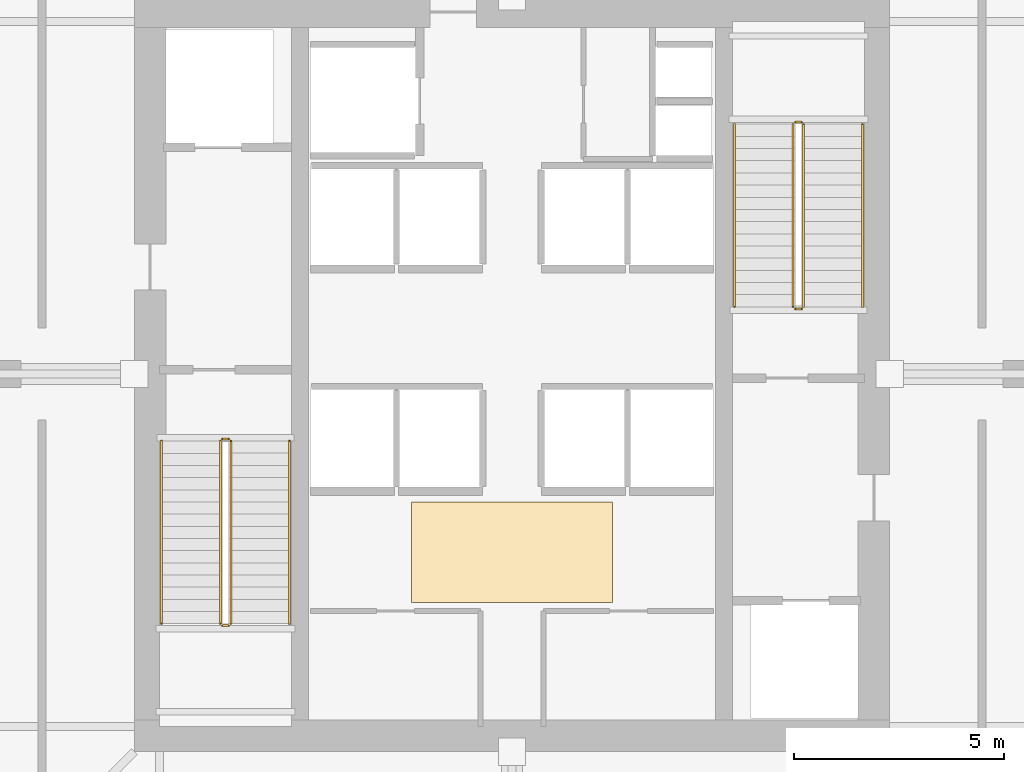
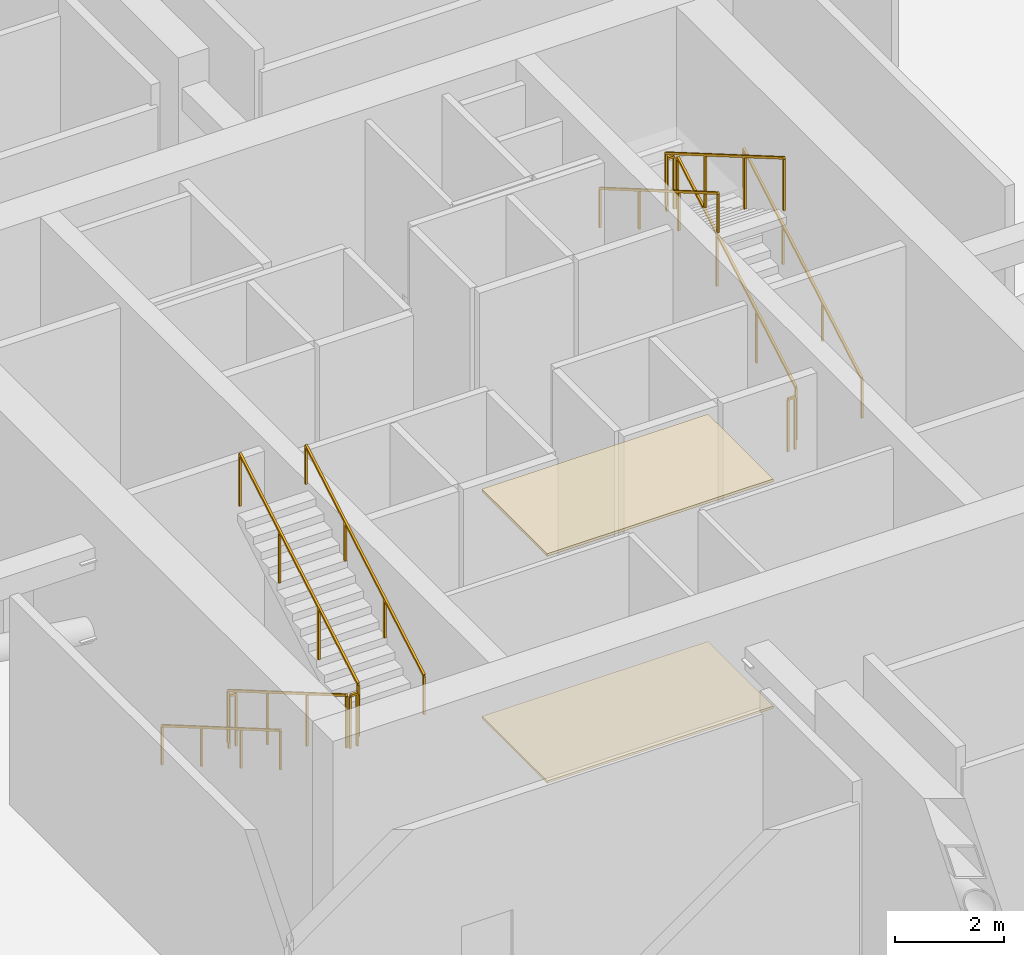
# One storey, part 6 of 6: 12 railings, 2 coverings.
"""IFC4 building model written with IfcOpenShell, lengths in metres."""

from ifc_helpers import new_model, si_unit, direction, frame, origin, origin_2d, place, context, subcontext, project, spatial, polyline, rectangle, outline, extrude, material, layer, layer_set, type_object, element, save


model = new_model("IFC4")

# Units and contexts
model_context = context("Model", 3, precision=1e-05, world=origin(), true_north=direction((0.0, 1.0)))
body_context = subcontext(model_context, "Body", "Model", "MODEL_VIEW")
ifc_project = project(units=[si_unit("LENGTHUNIT", "METRE"), si_unit("AREAUNIT", "SQUARE_METRE"), si_unit("VOLUMEUNIT", "CUBIC_METRE"), si_unit("PLANEANGLEUNIT", "RADIAN"), si_unit("MASSUNIT", "GRAM", prefix="KILO")], contexts=[model_context])

# Site, building, storey
site_placement = place(None, origin())
site = spatial("IfcSite", under=ifc_project, at=site_placement, CompositionType="ELEMENT")
building_placement = place(site_placement, origin())
building = spatial("IfcBuilding", under=site, at=building_placement, Name="Belovzor Exchange Tower", CompositionType="ELEMENT")
storey_placement = place(building_placement, frame((0.0, 0.0, 194.550048828125)))
storey = spatial("IfcBuildingStorey", under=building, at=storey_placement, Name="L48", CompositionType="ELEMENT", Elevation=194.550048828125)

# Railings
ifc_material_1 = material(Name="Stainless Steel Grade 304", Category="steel")
railing_type_1 = type_object("IfcRailingType", Name="Brushed Stainless Steel Stair Handrail 900", PredefinedType="HANDRAIL", material=ifc_material_1)
railing_1_placement = place(storey_placement, frame((20.449951171875, 27.199951171875, 0.168701171875)))
element("IfcRailing", 1, at=railing_1_placement, inside=storey, type_object=railing_type_1, Name="L48 ST-1 stair handrail 1", PredefinedType="HANDRAIL", context=body_context, shape_type="SweptSolid", body=[
    extrude(rectangle(XDim=0.048095703125, YDim=0.048095703125, at=origin_2d()), frame((0.0, 0.0, 0.8759765625), z_axis=(0.0, -0.864311530196, 0.502956835891), x_axis=(1.0, 0.0, 0.0)), (0.0, 0.0, 1.0), 5.03271484375),
    extrude(rectangle(XDim=0.0419921875, YDim=0.0419921875, at=origin_2d()), origin(), (0.0, 0.0, 1.0), 0.851806640625),
    extrude(rectangle(XDim=0.0419921875, YDim=0.0419921875, at=origin_2d()), frame((0.0, -1.449951171875, 0.84375)), (0.0, 0.0, 1.0), 0.851806640625),
    extrude(rectangle(XDim=0.0419921875, YDim=0.0419921875, at=origin_2d()), frame((0.0, -2.89990234375, 1.6875)), (0.0, 0.0, 1.0), 0.851806640625),
    extrude(rectangle(XDim=0.0419921875, YDim=0.0419921875, at=origin_2d()), frame((0.0, -4.349853515625, 2.53125)), (0.0, 0.0, 1.0), 0.851806640625),
])
railing_2_placement = place(storey_placement, frame((23.5, 22.85009765625, 2.86865234375)))
element("IfcRailing", 2, at=railing_2_placement, inside=storey, type_object=railing_type_1, Name="L48 ST-1 stair handrail 2", PredefinedType="HANDRAIL", context=body_context, shape_type="SweptSolid", body=[
    extrude(rectangle(XDim=0.048095703125, YDim=0.048095703125, at=origin_2d()), frame((0.0, 0.0, 0.8759765625), z_axis=(0.0, 0.864311530196, 0.502956835891), x_axis=(-1.0, 0.0, 0.0)), (0.0, 0.0, 1.0), 5.03271484375),
    extrude(rectangle(XDim=0.0419921875, YDim=0.0419921875, at=origin_2d()), origin(), (0.0, 0.0, 1.0), 0.851806640625),
    extrude(rectangle(XDim=0.0419921875, YDim=0.0419921875, at=origin_2d()), frame((0.0, 1.449951171875, 0.84375)), (0.0, 0.0, 1.0), 0.851806640625),
    extrude(rectangle(XDim=0.0419921875, YDim=0.0419921875, at=origin_2d()), frame((0.0, 2.89990234375, 1.6875)), (0.0, 0.0, 1.0), 0.851806640625),
    extrude(rectangle(XDim=0.0419921875, YDim=0.0419921875, at=origin_2d()), frame((0.0, 4.349853515625, 2.53125)), (0.0, 0.0, 1.0), 0.851806640625),
])
railing_3_placement = place(storey_placement, frame((37.14990234375, 30.39990234375, 0.168701171875)))
element("IfcRailing", 3, at=railing_3_placement, inside=storey, type_object=railing_type_1, Name="L48 ST-2 stair handrail 1", PredefinedType="HANDRAIL", context=body_context, shape_type="SweptSolid", body=[
    extrude(rectangle(XDim=0.048095703125, YDim=0.048095703125, at=origin_2d()), frame((0.0, 0.0, 0.8759765625), z_axis=(0.0, 0.864323800911, 0.50293574856), x_axis=(-1.0, 0.0, 0.0)), (0.0, 0.0, 1.0), 5.032958984375),
    extrude(rectangle(XDim=0.0419921875, YDim=0.0419921875, at=origin_2d()), origin(), (0.0, 0.0, 1.0), 0.851806640625),
    extrude(rectangle(XDim=0.0419921875, YDim=0.0419921875, at=origin_2d()), frame((0.0, 1.449951171875, 0.84375)), (0.0, 0.0, 1.0), 0.851806640625),
    extrude(rectangle(XDim=0.0419921875, YDim=0.0419921875, at=origin_2d()), frame((0.0, 2.900146484375, 1.6875)), (0.0, 0.0, 1.0), 0.851806640625),
    extrude(rectangle(XDim=0.0419921875, YDim=0.0419921875, at=origin_2d()), frame((0.0, 4.35009765625, 2.53125)), (0.0, 0.0, 1.0), 0.851806640625),
])
railing_4_placement = place(storey_placement, frame((34.10009765625, 34.75, 2.86865234375)))
element("IfcRailing", 4, at=railing_4_placement, inside=storey, type_object=railing_type_1, Name="L48 ST-2 stair handrail 2", PredefinedType="HANDRAIL", context=body_context, shape_type="SweptSolid", body=[
    extrude(rectangle(XDim=0.048095703125, YDim=0.048095703125, at=origin_2d()), frame((0.0, 0.0, 0.8759765625), z_axis=(0.0, -0.864323800911, 0.50293574856), x_axis=(1.0, 0.0, 0.0)), (0.0, 0.0, 1.0), 5.032958984375),
    extrude(rectangle(XDim=0.0419921875, YDim=0.0419921875, at=origin_2d()), origin(), (0.0, 0.0, 1.0), 0.851806640625),
    extrude(rectangle(XDim=0.0419921875, YDim=0.0419921875, at=origin_2d()), frame((0.0, -1.449951171875, 0.84375)), (0.0, 0.0, 1.0), 0.851806640625),
    extrude(rectangle(XDim=0.0419921875, YDim=0.0419921875, at=origin_2d()), frame((0.0, -2.900146484375, 1.6875)), (0.0, 0.0, 1.0), 0.851806640625),
    extrude(rectangle(XDim=0.0419921875, YDim=0.0419921875, at=origin_2d()), frame((0.0, -4.35009765625, 2.53125)), (0.0, 0.0, 1.0), 0.851806640625),
])
ifc_material_2 = material(Name="Steel S355", Category="steel")
railing_type_2 = type_object("IfcRailingType", Name="Painted Steel Stairwell Guardrail 1200", PredefinedType="GUARDRAIL", material=ifc_material_2)
railing_5_placement = place(storey_placement, frame((21.85009765625, 27.199951171875, 0.168701171875)))
element("IfcRailing", 5, at=railing_5_placement, inside=storey, type_object=railing_type_2, Name="L48 ST-1 stair guard 1", PredefinedType="GUARDRAIL", context=body_context, shape_type="SweptSolid", body=[
    extrude(rectangle(XDim=0.048095703125, YDim=0.048095703125, at=origin_2d()), frame((0.0, 0.0, 1.17578125), z_axis=(0.0, -0.864311530196, 0.502956835891), x_axis=(1.0, 0.0, 0.0)), (0.0, 0.0, 1.0), 5.03271484375),
    extrude(rectangle(XDim=0.0419921875, YDim=0.0419921875, at=origin_2d()), origin(), (0.0, 0.0, 1.0), 1.15185546875),
    extrude(rectangle(XDim=0.0419921875, YDim=0.0419921875, at=origin_2d()), frame((0.0, -1.449951171875, 0.84375)), (0.0, 0.0, 1.0), 1.15185546875),
    extrude(rectangle(XDim=0.0419921875, YDim=0.0419921875, at=origin_2d()), frame((0.0, -2.89990234375, 1.6875)), (0.0, 0.0, 1.0), 1.15185546875),
    extrude(rectangle(XDim=0.0419921875, YDim=0.0419921875, at=origin_2d()), frame((0.0, -4.349853515625, 2.53125)), (0.0, 0.0, 1.0), 1.15185546875),
])
railing_6_placement = place(storey_placement, frame((21.89990234375, 22.800048828125, 2.699951171875)))
element("IfcRailing", 6, at=railing_6_placement, inside=storey, type_object=railing_type_2, Name="L48 ST-1 stair guard 2", PredefinedType="GUARDRAIL", context=body_context, shape_type="SweptSolid", body=[
    extrude(rectangle(XDim=0.048095703125, YDim=0.048095703125, at=origin_2d()), frame((0.0, 0.0, 1.17578125), z_axis=(1.0, 0.0, 0.0), x_axis=(0.0, 1.0, 0.0)), (0.0, 0.0, 1.0), 0.150146484375),
    extrude(rectangle(XDim=0.0419921875, YDim=0.0419921875, at=origin_2d()), origin(), (0.0, 0.0, 1.0), 1.15185546875),
    extrude(rectangle(XDim=0.0419921875, YDim=0.0419921875, at=origin_2d()), frame((0.150146484375, 0.0, 0.0)), (0.0, 0.0, 1.0), 1.15185546875),
])
railing_7_placement = place(storey_placement, frame((22.10009765625, 22.85009765625, 2.86865234375)))
element("IfcRailing", 7, at=railing_7_placement, inside=storey, type_object=railing_type_2, Name="L48 ST-1 stair guard 3", PredefinedType="GUARDRAIL", context=body_context, shape_type="SweptSolid", body=[
    extrude(rectangle(XDim=0.048095703125, YDim=0.048095703125, at=origin_2d()), frame((0.0, 0.0, 1.17578125), z_axis=(0.0, 0.864311530196, 0.502956835891), x_axis=(-1.0, 0.0, 0.0)), (0.0, 0.0, 1.0), 5.03271484375),
    extrude(rectangle(XDim=0.0419921875, YDim=0.0419921875, at=origin_2d()), origin(), (0.0, 0.0, 1.0), 1.15185546875),
    extrude(rectangle(XDim=0.0419921875, YDim=0.0419921875, at=origin_2d()), frame((0.0, 1.449951171875, 0.84375)), (0.0, 0.0, 1.0), 1.15185546875),
    extrude(rectangle(XDim=0.0419921875, YDim=0.0419921875, at=origin_2d()), frame((0.0, 2.89990234375, 1.6875)), (0.0, 0.0, 1.0), 1.15185546875),
    extrude(rectangle(XDim=0.0419921875, YDim=0.0419921875, at=origin_2d()), frame((0.0, 4.349853515625, 2.53125)), (0.0, 0.0, 1.0), 1.15185546875),
])
railing_8_placement = place(storey_placement, frame((21.89990234375, 27.25, 0.0)))
element("IfcRailing", 8, at=railing_8_placement, inside=storey, type_object=railing_type_2, Name="L48 ST-1 stair guard 4", PredefinedType="GUARDRAIL", context=body_context, shape_type="SweptSolid", body=[
    extrude(rectangle(XDim=0.048095703125, YDim=0.048095703125, at=origin_2d()), frame((0.0, 0.0, 1.17578125), z_axis=(1.0, 0.0, 0.0), x_axis=(0.0, 1.0, 0.0)), (0.0, 0.0, 1.0), 0.150146484375),
    extrude(rectangle(XDim=0.0419921875, YDim=0.0419921875, at=origin_2d()), origin(), (0.0, 0.0, 1.0), 1.15185546875),
    extrude(rectangle(XDim=0.0419921875, YDim=0.0419921875, at=origin_2d()), frame((0.150146484375, 0.0, 0.0)), (0.0, 0.0, 1.0), 1.15185546875),
])
railing_9_placement = place(storey_placement, frame((35.75, 30.39990234375, 0.168701171875)))
element("IfcRailing", 9, at=railing_9_placement, inside=storey, type_object=railing_type_2, Name="L48 ST-2 stair guard 1", PredefinedType="GUARDRAIL", context=body_context, shape_type="SweptSolid", body=[
    extrude(rectangle(XDim=0.048095703125, YDim=0.048095703125, at=origin_2d()), frame((0.0, 0.0, 1.17578125), z_axis=(0.0, 0.864323800911, 0.50293574856), x_axis=(-1.0, 0.0, 0.0)), (0.0, 0.0, 1.0), 5.032958984375),
    extrude(rectangle(XDim=0.0419921875, YDim=0.0419921875, at=origin_2d()), origin(), (0.0, 0.0, 1.0), 1.15185546875),
    extrude(rectangle(XDim=0.0419921875, YDim=0.0419921875, at=origin_2d()), frame((0.0, 1.449951171875, 0.84375)), (0.0, 0.0, 1.0), 1.15185546875),
    extrude(rectangle(XDim=0.0419921875, YDim=0.0419921875, at=origin_2d()), frame((0.0, 2.900146484375, 1.6875)), (0.0, 0.0, 1.0), 1.15185546875),
    extrude(rectangle(XDim=0.0419921875, YDim=0.0419921875, at=origin_2d()), frame((0.0, 4.35009765625, 2.53125)), (0.0, 0.0, 1.0), 1.15185546875),
])
railing_10_placement = place(storey_placement, frame((35.699951171875, 34.800048828125, 2.699951171875)))
element("IfcRailing", 10, at=railing_10_placement, inside=storey, type_object=railing_type_2, Name="L48 ST-2 stair guard 2", PredefinedType="GUARDRAIL", context=body_context, shape_type="SweptSolid", body=[
    extrude(rectangle(XDim=0.048095703125, YDim=0.048095703125, at=origin_2d()), frame((0.0, 0.0, 1.17578125), z_axis=(-1.0, 0.0, 0.0), x_axis=(0.0, -1.0, 0.0)), (0.0, 0.0, 1.0), 0.14990234375),
    extrude(rectangle(XDim=0.0419921875, YDim=0.0419921875, at=origin_2d()), origin(), (0.0, 0.0, 1.0), 1.15185546875),
    extrude(rectangle(XDim=0.0419921875, YDim=0.0419921875, at=origin_2d()), frame((-0.14990234375, 0.0, 0.0)), (0.0, 0.0, 1.0), 1.15185546875),
])
railing_11_placement = place(storey_placement, frame((35.5, 34.75, 2.86865234375)))
element("IfcRailing", 11, at=railing_11_placement, inside=storey, type_object=railing_type_2, Name="L48 ST-2 stair guard 3", PredefinedType="GUARDRAIL", context=body_context, shape_type="SweptSolid", body=[
    extrude(rectangle(XDim=0.048095703125, YDim=0.048095703125, at=origin_2d()), frame((0.0, 0.0, 1.17578125), z_axis=(0.0, -0.864323800911, 0.50293574856), x_axis=(1.0, 0.0, 0.0)), (0.0, 0.0, 1.0), 5.032958984375),
    extrude(rectangle(XDim=0.0419921875, YDim=0.0419921875, at=origin_2d()), origin(), (0.0, 0.0, 1.0), 1.15185546875),
    extrude(rectangle(XDim=0.0419921875, YDim=0.0419921875, at=origin_2d()), frame((0.0, -1.449951171875, 0.84375)), (0.0, 0.0, 1.0), 1.15185546875),
    extrude(rectangle(XDim=0.0419921875, YDim=0.0419921875, at=origin_2d()), frame((0.0, -2.900146484375, 1.6875)), (0.0, 0.0, 1.0), 1.15185546875),
    extrude(rectangle(XDim=0.0419921875, YDim=0.0419921875, at=origin_2d()), frame((0.0, -4.35009765625, 2.53125)), (0.0, 0.0, 1.0), 1.15185546875),
])
railing_12_placement = place(storey_placement, frame((35.699951171875, 30.35009765625, 0.0)))
element("IfcRailing", 12, at=railing_12_placement, inside=storey, type_object=railing_type_2, Name="L48 ST-2 stair guard 4", PredefinedType="GUARDRAIL", context=body_context, shape_type="SweptSolid", body=[
    extrude(rectangle(XDim=0.048095703125, YDim=0.048095703125, at=origin_2d()), frame((0.0, 0.0, 1.17578125), z_axis=(-1.0, 0.0, 0.0), x_axis=(0.0, -1.0, 0.0)), (0.0, 0.0, 1.0), 0.14990234375),
    extrude(rectangle(XDim=0.0419921875, YDim=0.0419921875, at=origin_2d()), origin(), (0.0, 0.0, 1.0), 1.15185546875),
    extrude(rectangle(XDim=0.0419921875, YDim=0.0419921875, at=origin_2d()), frame((-0.14990234375, 0.0, 0.0)), (0.0, 0.0, 1.0), 1.15185546875),
])

# Coverings
ifc_material_3 = material(Name="Perforated Powder-Coated Aluminium", Category="aluminium")
ifc_layer_1 = layer(ifc_material_3, 0.06005859375)
ifc_layer_set_1 = layer_set([ifc_layer_1], Name="Perforated Powder-Coated Aluminium")
covering_type_1 = type_object("IfcCoveringType", Name="Perforated Acoustic Metal Tile Suspended Ceiling 60", PredefinedType="CEILING", material=ifc_layer_set_1)
covering_1_placement = place(storey_placement, frame((0.0, 0.0, 5.08984375)))
element("IfcCovering", 13, at=covering_1_placement, inside=storey, type_object=covering_type_1, Name="CLG-AC60 Suspended Ceiling CLG-L48-LOB", PredefinedType="CEILING", context=body_context, shape_type="SweptSolid", body=[
    extrude(outline(polyline([(26.39990234375, 23.35009765625), (31.199951171875, 23.35009765625), (31.199951171875, 25.75), (26.39990234375, 25.75), (26.39990234375, 23.35009765625)])), origin(), (0.0, 0.0, 1.0), 0.06005859375),
])
ifc_material_4 = material(Name="Polished Natural Granite Tile", Category="masonry")
ifc_layer_2 = layer(ifc_material_4, 0.050048828125)
ifc_layer_set_2 = layer_set([ifc_layer_2], Name="Polished Natural Granite Tile")
covering_type_2 = type_object("IfcCoveringType", Name="Polished Karelian Granite & Raised Access Floor Finish 50", PredefinedType="FLOORING", material=ifc_layer_set_2)
covering_2_placement = place(storey_placement, origin())
element("IfcCovering", 14, at=covering_2_placement, inside=storey, type_object=covering_type_2, Name="FLR-GR50 Floor Finish FLR-L48-LOB", PredefinedType="FLOORING", context=body_context, shape_type="SweptSolid", body=[
    extrude(outline(polyline([(26.39990234375, 23.35009765625), (31.199951171875, 23.35009765625), (31.199951171875, 25.75), (26.39990234375, 25.75), (26.39990234375, 23.35009765625)])), origin(), (0.0, 0.0, 1.0), 0.050048828125),
])

save(model, "model.ifc")
